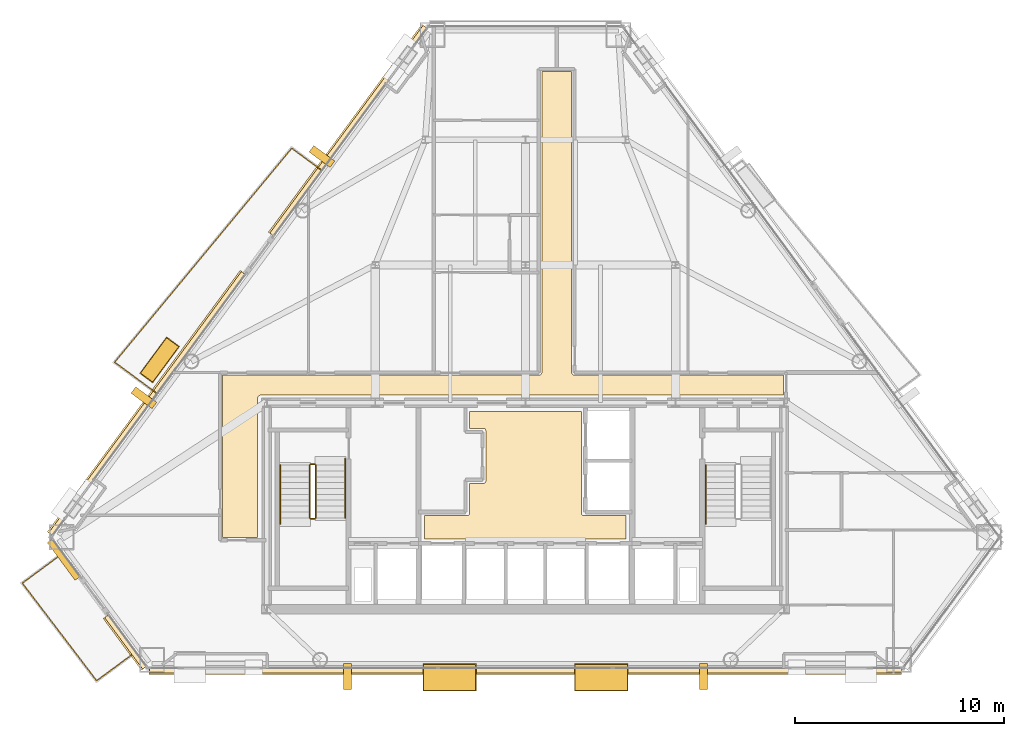
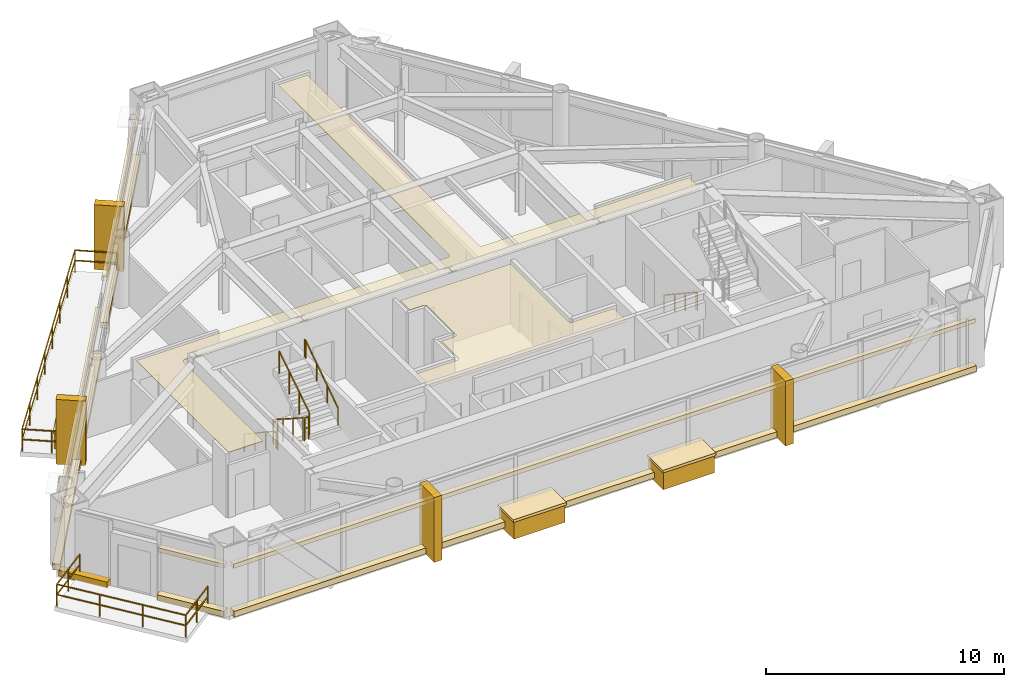
# One storey, part 11 of 12: 21 coverings, 9 railings.
"""IFC4 building model written with IfcOpenShell, lengths in metres."""

from ifc_helpers import new_model, si_unit, direction, frame, origin, origin_2d, place, context, subcontext, project, spatial, polyline, rectangle, outline, extrude, material, layer, layer_set, type_object, element, save


model = new_model("IFC4")

# Units and contexts
model_context = context("Model", 3, precision=1e-05, world=origin(), true_north=direction((0.0, 1.0)))
body_context = subcontext(model_context, "Body", "Model", "MODEL_VIEW")
ifc_project = project(units=[si_unit("LENGTHUNIT", "METRE"), si_unit("AREAUNIT", "SQUARE_METRE"), si_unit("VOLUMEUNIT", "CUBIC_METRE"), si_unit("PLANEANGLEUNIT", "RADIAN"), si_unit("MASSUNIT", "GRAM", prefix="KILO")], contexts=[model_context])

# Site, building, storey
site_placement = place(None, origin())
site = spatial("IfcSite", under=ifc_project, at=site_placement, CompositionType="ELEMENT")
building_placement = place(site_placement, origin())
building = spatial("IfcBuilding", under=site, at=building_placement, Name="Talgorran Terracotta Tower", CompositionType="ELEMENT")
storey_placement = place(building_placement, frame((0.0, 0.0, 165.300048828125)))
storey = spatial("IfcBuildingStorey", under=building, at=storey_placement, Name="L43", CompositionType="ELEMENT", Elevation=165.300048828125)

# Coverings
ifc_material_1 = material(Name="Kiln-Fired Terracotta Ochre Ceramic", Category="masonry")
ifc_layer_1 = layer(ifc_material_1, 0.179931640625, Name="COV_BAGUETTE_TERRACOTTA_SCREEN")
ifc_layer_set_1 = layer_set([ifc_layer_1], Name="Kiln-Fired Terracotta Ochre Ceramic")
covering_type_1 = type_object("IfcCoveringType", Name="COV_BAGUETTE_TERRACOTTA_SCREEN", PredefinedType="CLADDING", material=ifc_layer_set_1)
covering_1_placement = place(storey_placement, frame((-19.156005859375, -15.66796875, 2.41015625), z_axis=(0.0, 0.0, 1.0), x_axis=(0.593770031276, -0.804634792909, 0.0)))
element("IfcCovering", 1, at=covering_1_placement, inside=storey, type_object=covering_type_1, Name="L43 Terracotta Baguette Solar Screen Assembly F11", PredefinedType="CLADDING", context=body_context, shape_type="SweptSolid", body=[
    extrude(rectangle(XDim=3.064697265625, YDim=0.260009765625, at=origin_2d()), origin(), (0.0, 0.0, 1.0), 0.219970703125),
])
covering_2_placement = place(storey_placement, frame((0.0, -17.030029296875, 2.41015625), z_axis=(0.0, 0.0, 1.0), x_axis=(1.0, 0.0, 0.0)))
element("IfcCovering", 2, at=covering_2_placement, inside=storey, type_object=covering_type_1, Name="L43 Terracotta Baguette Solar Screen Assembly F1", PredefinedType="CLADDING", context=body_context, shape_type="SweptSolid", body=[
    extrude(rectangle(XDim=36.060302734375, YDim=0.260009765625, at=origin_2d()), origin(), (0.0, 0.0, 1.0), 0.219970703125),
])
covering_3_placement = place(storey_placement, frame((-8.476318359375, 8.830078125, 2.41015625), z_axis=(0.0, 0.0, 1.0), x_axis=(-0.593784074712, -0.804624429544, 0.0)))
element("IfcCovering", 3, at=covering_3_placement, inside=storey, type_object=covering_type_1, Name="L43 Terracotta Baguette Solar Screen Assembly F60", PredefinedType="CLADDING", context=body_context, shape_type="SweptSolid", body=[
    extrude(rectangle(XDim=12.36669921875, YDim=0.260009765625, at=origin_2d()), origin(), (0.0, 0.0, 1.0), 0.219970703125),
])
covering_4_placement = place(storey_placement, frame((-18.1298828125, -4.251220703125, 2.41015625), z_axis=(0.0, 0.0, 1.0), x_axis=(-0.593784074712, -0.804624429544, 0.0)))
element("IfcCovering", 4, at=covering_4_placement, inside=storey, type_object=covering_type_1, Name="L43 Terracotta Baguette Solar Screen Assembly F61", PredefinedType="CLADDING", context=body_context, shape_type="SweptSolid", body=[
    extrude(rectangle(XDim=15.549072265625, YDim=0.260009765625, at=origin_2d()), origin(), (0.0, 0.0, 1.0), 0.219970703125),
])
ifc_material_2 = material(Name="Mineral Fibre Acoustic Tile")
ifc_layer_2 = layer(ifc_material_2, 0.02490234375, Name="COV_CEIL_ACOUSTIC")
ifc_layer_set_2 = layer_set([ifc_layer_2], Name="Mineral Fibre Acoustic Tile")
covering_type_2 = type_object("IfcCoveringType", Name="COV_CEIL_ACOUSTIC", PredefinedType="CEILING", material=ifc_layer_set_2)
covering_5_placement = place(storey_placement, frame((0.0, 0.0, 3.18994140625)))
element("IfcCovering", 5, at=covering_5_placement, inside=storey, type_object=covering_type_2, Name="CEIL-L43-2", PredefinedType="CEILING", context=body_context, shape_type="SweptSolid", body=[
    extrude(outline(polyline([(-12.6884765625, -3.84521484375), (-12.703369140625, -3.84521484375), (-12.715087890625, -3.845947265625), (-12.7265625, -3.84765625), (-12.73779296875, -3.8505859375), (-12.748779296875, -3.8544921875), (-12.75927734375, -3.859375), (-12.76708984375, -3.863525390625), (-12.777099609375, -3.86962890625), (-12.78662109375, -3.876708984375), (-12.79541015625, -3.884521484375), (-12.803466796875, -3.893310546875), (-12.810302734375, -3.90283203125), (-12.81640625, -3.9130859375), (-12.820556640625, -3.920654296875), (-12.82568359375, -3.931396484375), (-12.82958984375, -3.9423828125), (-12.83251953125, -3.953857421875), (-12.833984375, -3.96533203125), (-12.834716796875, -3.97705078125), (-12.8349609375, -10.6650390625), (-14.514892578125, -10.6650390625), (-14.514892578125, -2.885009765625), (0.64990234375, -2.885009765625), (0.66162109375, -2.884521484375), (0.67333984375, -2.8828125), (0.6845703125, -2.8798828125), (0.69287109375, -2.87744140625), (0.7041015625, -2.87353515625), (0.714599609375, -2.868408203125), (0.724853515625, -2.8623046875), (0.734375, -2.85546875), (0.742919921875, -2.847412109375), (0.7509765625, -2.8388671875), (0.756591796875, -2.83203125), (0.763671875, -2.822509765625), (0.769775390625, -2.8125), (0.774658203125, -2.8017578125), (0.77880859375, -2.79052734375), (0.781494140625, -2.779296875), (0.783203125, -2.767578125), (0.783935546875, -2.755615234375), (0.784912109375, 11.6650390625), (2.215087890625, 11.6650390625), (2.215087890625, -2.75), (2.215576171875, -2.76171875), (2.21728515625, -2.773193359375), (2.22021484375, -2.78466796875), (2.22265625, -2.79296875), (2.2265625, -2.803955078125), (2.231689453125, -2.814697265625), (2.237548828125, -2.82470703125), (2.24462890625, -2.834228515625), (2.25244140625, -2.843017578125), (2.26123046875, -2.850830078125), (2.26806640625, -2.8564453125), (2.277587890625, -2.863525390625), (2.28759765625, -2.86962890625), (2.29833984375, -2.874755859375), (2.309326171875, -2.878662109375), (2.32080078125, -2.881591796875), (2.33251953125, -2.88330078125), (2.34423828125, -2.8837890625), (12.364990234375, -2.885009765625), (12.364990234375, -3.830078125), (12.169921875, -3.830078125), (12.158203125, -3.83056640625), (12.146484375, -3.832275390625), (12.13525390625, -3.835205078125), (12.1240234375, -3.839111328125), (12.11328125, -3.84423828125), (12.112060546875, -3.844970703125), (7.432861328125, -3.844970703125), (6.968017578125, -3.843017578125), (6.967529296875, -3.843017578125), (0.232666015625, -3.844970703125), (-0.23193359375, -3.843017578125), (-0.232421875, -3.843017578125), (-6.96728515625, -3.844970703125), (-7.431884765625, -3.843017578125), (-7.4326171875, -3.843017578125), (-12.112060546875, -3.844970703125), (-12.11328125, -3.84423828125), (-12.1240234375, -3.839111328125), (-12.13525390625, -3.835205078125), (-12.146484375, -3.832275390625), (-12.158203125, -3.83056640625), (-12.169921875, -3.830078125), (-12.6298828125, -3.830078125), (-12.641845703125, -3.83056640625), (-12.6533203125, -3.832275390625), (-12.664794921875, -3.835205078125), (-12.67578125, -3.839111328125), (-12.6865234375, -3.84423828125), (-12.6884765625, -3.84521484375)])), origin(), (0.0, 0.0, 1.0), 0.02001953125),
])
ifc_material_3 = material(Name="Flush Moisture-Resistant Plaster")
ifc_layer_3 = layer(ifc_material_3, 0.01806640625, Name="COV_CEIL_PLASTER")
ifc_layer_set_3 = layer_set([ifc_layer_3], Name="Flush Moisture-Resistant Plaster")
covering_type_3 = type_object("IfcCoveringType", Name="COV_CEIL_PLASTER", PredefinedType="CEILING", material=ifc_layer_set_3)
covering_6_placement = place(storey_placement, frame((0.0, 0.0, 3.18994140625)))
element("IfcCovering", 6, at=covering_6_placement, inside=storey, type_object=covering_type_3, Name="CEIL-L43-1", PredefinedType="CEILING", context=body_context, shape_type="SweptSolid", body=[
    extrude(outline(polyline([(2.679931640625, -4.6201171875), (2.679931640625, -9.5), (2.6806640625, -9.51171875), (2.682373046875, -9.5234375), (2.685302734375, -9.534912109375), (2.689208984375, -9.5458984375), (2.694091796875, -9.556640625), (2.7001953125, -9.566650390625), (2.707275390625, -9.576171875), (2.715087890625, -9.5849609375), (2.723876953125, -9.5927734375), (2.7333984375, -9.599853515625), (2.743408203125, -9.605712890625), (2.754150390625, -9.61083984375), (2.76513671875, -9.61474609375), (2.776611328125, -9.61767578125), (2.7880859375, -9.619384765625), (2.800048828125, -9.6201171875), (4.830078125, -9.6201171875), (4.830078125, -10.72998046875), (-4.830078125, -10.72998046875), (-4.830078125, -9.6201171875), (-2.800048828125, -9.6201171875), (-2.7880859375, -9.619384765625), (-2.776611328125, -9.61767578125), (-2.76513671875, -9.61474609375), (-2.754150390625, -9.61083984375), (-2.743408203125, -9.605712890625), (-2.7333984375, -9.599853515625), (-2.723876953125, -9.5927734375), (-2.715087890625, -9.5849609375), (-2.707275390625, -9.576171875), (-2.7001953125, -9.566650390625), (-2.694091796875, -9.556640625), (-2.689208984375, -9.5458984375), (-2.685302734375, -9.534912109375), (-2.682373046875, -9.5234375), (-2.6806640625, -9.51171875), (-2.679931640625, -9.5), (-2.679931640625, -8.070068359375), (-2.02001953125, -8.070068359375), (-2.00830078125, -8.0693359375), (-1.99658203125, -8.067626953125), (-1.985107421875, -8.064697265625), (-1.97412109375, -8.060791015625), (-1.96337890625, -8.055908203125), (-1.953369140625, -8.0498046875), (-1.94384765625, -8.042724609375), (-1.93505859375, -8.034912109375), (-1.92724609375, -8.026123046875), (-1.920166015625, -8.0166015625), (-1.914306640625, -8.006591796875), (-1.9091796875, -7.995849609375), (-1.9052734375, -7.98486328125), (-1.90234375, -7.973388671875), (-1.900634765625, -7.9619140625), (-1.89990234375, -7.949951171875), (-1.89990234375, -5.550048828125), (-1.900634765625, -5.5380859375), (-1.90234375, -5.526611328125), (-1.9052734375, -5.51513671875), (-1.9091796875, -5.504150390625), (-1.914306640625, -5.493408203125), (-1.920166015625, -5.4833984375), (-1.92724609375, -5.473876953125), (-1.93505859375, -5.465087890625), (-1.94384765625, -5.457275390625), (-1.953369140625, -5.4501953125), (-1.96337890625, -5.444091796875), (-1.97412109375, -5.439208984375), (-1.985107421875, -5.435302734375), (-1.99658203125, -5.432373046875), (-2.00830078125, -5.4306640625), (-2.02001953125, -5.429931640625), (-2.679931640625, -5.429931640625), (-2.679931640625, -4.6201171875), (2.679931640625, -4.6201171875)])), origin(), (0.0, 0.0, 1.0), 0.02001953125),
])
ifc_material_4 = material(Name="Honed Limestone and Terracotta Planter", Category="masonry")
ifc_layer_4 = layer(ifc_material_4, 0.1201171875, Name="COV_PLANTER_BOX")
ifc_layer_set_4 = layer_set([ifc_layer_4], Name="Honed Limestone and Terracotta Planter")
covering_type_4 = type_object("IfcCoveringType", Name="COV_PLANTER_BOX", PredefinedType="CLADDING", material=ifc_layer_set_4)
for number, where, z_axis, x_axis, name in (
    (7, (-3.632080078125, -17.3701171875, -0.179931640625), (0.0, 0.0, 1.0), (1.0, 0.0, 0.0), "L43 Staggered South Facade Planter Box 1"),
    (8, (3.632080078125, -17.3701171875, -0.179931640625), (0.0, 0.0, 1.0), (1.0, 0.0, 0.0), "L43 Staggered South Facade Planter Box 2"),
):
    element("IfcCovering", number, at=place(storey_placement, frame(where, z_axis=z_axis, x_axis=x_axis)), inside=storey, type_object=covering_type_4, Name=name, PredefinedType="CLADDING", context=body_context, shape_type="SweptSolid", body=[
        extrude(rectangle(XDim=2.5, YDim=1.25, at=origin_2d()), origin(), (0.0, 0.0, 1.0), 0.919921875),
    ])
covering_7_placement = place(storey_placement, frame((-17.537841796875, -2.152099609375, -0.02001953125), z_axis=(0.0, 0.0, 1.0), x_axis=(-0.593784074712, -0.804624429544, 0.0)))
element("IfcCovering", 9, at=covering_7_placement, inside=storey, type_object=covering_type_4, Name="L43 Staggered Balcony Planter Box BAL-NW", PredefinedType="CLADDING", context=body_context, shape_type="SweptSolid", body=[
    extrude(rectangle(XDim=2.10009765625, YDim=0.719970703125, at=origin_2d()), origin(), (0.0, 0.0, 1.0), 0.860107421875),
])
ifc_material_5 = material(Name="Kiln-Fired Terracotta Planter Rim", Category="masonry")
ifc_layer_5 = layer(ifc_material_5, 0.10009765625, Name="COV_PLANTER_RIM")
ifc_layer_set_5 = layer_set([ifc_layer_5], Name="Kiln-Fired Terracotta Planter Rim")
covering_type_5 = type_object("IfcCoveringType", Name="COV_PLANTER_RIM", PredefinedType="CLADDING", material=ifc_layer_set_5)
for number, where, z_axis, x_axis, name in (
    (10, (-3.632080078125, -17.3701171875, 0.7099609375), (0.0, 0.0, 1.0), (1.0, 0.0, 0.0), "L43 South Planter Terracotta Rim 1"),
    (11, (3.632080078125, -17.3701171875, 0.7099609375), (0.0, 0.0, 1.0), (1.0, 0.0, 0.0), "L43 South Planter Terracotta Rim 2"),
):
    element("IfcCovering", number, at=place(storey_placement, frame(where, z_axis=z_axis, x_axis=x_axis)), inside=storey, type_object=covering_type_5, Name=name, PredefinedType="CLADDING", context=body_context, shape_type="SweptSolid", body=[
        extrude(rectangle(XDim=2.580078125, YDim=1.320068359375, at=origin_2d()), origin(), (0.0, 0.0, 1.0), 0.139892578125),
    ])
covering_8_placement = place(storey_placement, frame((-17.537841796875, -2.152099609375, 0.7998046875), z_axis=(0.0, 0.0, 1.0), x_axis=(-0.593784074712, -0.804624429544, 0.0)))
element("IfcCovering", 12, at=covering_8_placement, inside=storey, type_object=covering_type_5, Name="L43 Balcony Planter Terracotta Rim BAL-NW", PredefinedType="CLADDING", context=body_context, shape_type="SweptSolid", body=[
    extrude(rectangle(XDim=2.179931640625, YDim=0.780029296875, at=origin_2d()), origin(), (0.0, 0.0, 1.0), 0.1201171875),
])
ifc_material_6 = material(Name="Honed Limestone Cladding", Category="masonry")
ifc_layer_6 = layer(ifc_material_6, 0.094970703125, Name="COV_PORTAL_LIME")
ifc_layer_set_6 = layer_set([ifc_layer_6], Name="Honed Limestone Cladding")
covering_type_6 = type_object("IfcCoveringType", Name="COV_PORTAL_LIME", PredefinedType="CLADDING", material=ifc_layer_set_6)
for number, where, z_axis, x_axis, name in (
    (13, (-8.53564453125, -17.330078125, -0.050048828125), (0.0, 0.0, 1.0), (1.0, 0.0, 0.0), "L43 White Striped Portal Fin F1-1"),
    (14, (-9.757568359375, 7.599365234375, -0.050048828125), (0.0, 0.0, 1.0), (-0.593784074712, -0.804624429544, 0.0), "L43 White Striped Portal Fin F5-1"),
):
    element("IfcCovering", number, at=place(storey_placement, frame(where, z_axis=z_axis, x_axis=x_axis)), inside=storey, type_object=covering_type_6, Name=name, PredefinedType="CLADDING", context=body_context, shape_type="SweptSolid", body=[
        extrude(rectangle(XDim=0.3798828125, YDim=1.25, at=origin_2d()), origin(), (0.0, 0.0, 1.0), 3.330078125),
    ])
ifc_material_7 = material(Name="Kiln-Fired Terracotta Cladding", Category="masonry")
ifc_layer_7 = layer(ifc_material_7, 0.090087890625, Name="COV_PORTAL_TERRA")
ifc_layer_set_7 = layer_set([ifc_layer_7], Name="Kiln-Fired Terracotta Cladding")
covering_type_7 = type_object("IfcCoveringType", Name="COV_PORTAL_TERRA", PredefinedType="CLADDING", material=ifc_layer_set_7)
covering_9_placement = place(storey_placement, frame((-22.12109375, -11.71728515625, -0.0400390625), z_axis=(0.0, 0.0, 1.0), x_axis=(0.593798117967, -0.804614065934, 0.0)))
element("IfcCovering", 15, at=covering_9_placement, inside=storey, type_object=covering_type_7, Name="L43 Striped Postmodern Portal Cladding Band F10", PredefinedType="CLADDING", context=body_context, shape_type="SweptSolid", body=[
    extrude(rectangle(XDim=2.234619140625, YDim=0.340087890625, at=origin_2d()), origin(), (0.0, 0.0, 1.0), 0.300048828125),
])
covering_10_placement = place(storey_placement, frame((-19.18798828125, -15.691650390625, -0.0400390625), z_axis=(0.0, 0.0, 1.0), x_axis=(0.593770031276, -0.804634792909, 0.0)))
element("IfcCovering", 16, at=covering_10_placement, inside=storey, type_object=covering_type_7, Name="L43 Striped Postmodern Portal Cladding Band F11", PredefinedType="CLADDING", context=body_context, shape_type="SweptSolid", body=[
    extrude(rectangle(XDim=3.084716796875, YDim=0.340087890625, at=origin_2d()), origin(), (0.0, 0.0, 1.0), 0.300048828125),
])
covering_11_placement = place(storey_placement, frame((0.0, -17.070068359375, -0.0400390625), z_axis=(0.0, 0.0, 1.0), x_axis=(1.0, 0.0, 0.0)))
element("IfcCovering", 17, at=covering_11_placement, inside=storey, type_object=covering_type_7, Name="L43 Striped Postmodern Portal Cladding Band F1", PredefinedType="CLADDING", context=body_context, shape_type="SweptSolid", body=[
    extrude(rectangle(XDim=36.080322265625, YDim=0.340087890625, at=origin_2d()), origin(), (0.0, 0.0, 1.0), 0.300048828125),
])
covering_12_placement = place(storey_placement, frame((-8.508544921875, 8.85400390625, -0.0400390625), z_axis=(0.0, 0.0, 1.0), x_axis=(-0.593784074712, -0.804624429544, 0.0)))
element("IfcCovering", 18, at=covering_12_placement, inside=storey, type_object=covering_type_7, Name="L43 Striped Postmodern Portal Cladding Band F60", PredefinedType="CLADDING", context=body_context, shape_type="SweptSolid", body=[
    extrude(rectangle(XDim=12.38671875, YDim=0.340087890625, at=origin_2d()), origin(), (0.0, 0.0, 1.0), 0.300048828125),
])
covering_13_placement = place(storey_placement, frame((-18.162109375, -4.227294921875, -0.0400390625), z_axis=(0.0, 0.0, 1.0), x_axis=(-0.593784074712, -0.804624429544, 0.0)))
element("IfcCovering", 19, at=covering_13_placement, inside=storey, type_object=covering_type_7, Name="L43 Striped Postmodern Portal Cladding Band F61", PredefinedType="CLADDING", context=body_context, shape_type="SweptSolid", body=[
    extrude(rectangle(XDim=15.569091796875, YDim=0.340087890625, at=origin_2d()), origin(), (0.0, 0.0, 1.0), 0.300048828125),
])
for number, where, z_axis, x_axis, name in (
    (20, (8.53564453125, -17.330078125, -0.050048828125), (0.0, 0.0, 1.0), (1.0, 0.0, 0.0), "L43 Terracotta Striped Portal Fin F1-2"),
    (21, (-18.293212890625, -3.966796875, -0.050048828125), (0.0, 0.0, 1.0), (-0.593784074712, -0.804624429544, 0.0), "L43 Terracotta Striped Portal Fin F5-2"),
):
    element("IfcCovering", number, at=place(storey_placement, frame(where, z_axis=z_axis, x_axis=x_axis)), inside=storey, type_object=covering_type_7, Name=name, PredefinedType="CLADDING", context=body_context, shape_type="SweptSolid", body=[
        extrude(rectangle(XDim=0.3798828125, YDim=1.25, at=origin_2d()), origin(), (0.0, 0.0, 1.0), 3.330078125),
    ])

# Railings
ifc_material_8 = material(Name="Laminated Glass and Stainless Steel 316", Category="steel")
railing_type_1 = type_object("IfcRailingType", Name="RL_BALCONY_1150", PredefinedType="BALUSTRADE", material=ifc_material_8)
railing_1_placement = place(storey_placement, frame((-9.771728515625, 6.940185546875, 0.0)))
element("IfcRailing", 22, at=railing_1_placement, inside=storey, type_object=railing_type_1, Name="RL-L43-BAL-BAL-NW", PredefinedType="BALUSTRADE", context=body_context, shape_type="SweptSolid", body=[
    extrude(rectangle(XDim=0.048095703125, YDim=0.048095703125, at=origin_2d()), frame((0.0, 0.0, 1.1259765625), z_axis=(-0.804631782985, 0.593774110088, 0.0), x_axis=(-0.593774110088, -0.804631782985, 0.0)), (0.0, 0.0, 1.0), 1.78076171875),
    extrude(rectangle(XDim=0.048095703125, YDim=0.048095703125, at=origin_2d()), frame((0.0, 0.0, 0.597900390625), z_axis=(-0.804631782985, 0.593774110088, 0.0), x_axis=(-0.593774110088, -0.804631782985, 0.0)), (0.0, 0.0, 1.0), 1.78076171875),
    extrude(rectangle(XDim=0.048095703125, YDim=0.048095703125, at=origin_2d()), frame((-1.432861328125, 1.057373046875, 1.1259765625), z_axis=(-0.637604105574, -0.77036420254, 0.0), x_axis=(0.77036420254, -0.637604105574, 0.0)), (0.0, 0.0, 1.0), 13.31787109375),
    extrude(rectangle(XDim=0.048095703125, YDim=0.048095703125, at=origin_2d()), frame((-1.432861328125, 1.057373046875, 0.597900390625), z_axis=(-0.637604105574, -0.77036420254, 0.0), x_axis=(0.77036420254, -0.637604105574, 0.0)), (0.0, 0.0, 1.0), 13.31787109375),
    extrude(rectangle(XDim=0.048095703125, YDim=0.048095703125, at=origin_2d()), frame((-9.92431640625, -9.2021484375, 1.1259765625), z_axis=(0.80461263472, -0.5938000573, 0.0), x_axis=(0.5938000573, 0.80461263472, 0.0)), (0.0, 0.0, 1.0), 2.521240234375),
    extrude(rectangle(XDim=0.048095703125, YDim=0.048095703125, at=origin_2d()), frame((-9.92431640625, -9.2021484375, 0.597900390625), z_axis=(0.80461263472, -0.5938000573, 0.0), x_axis=(0.5938000573, 0.80461263472, 0.0)), (0.0, 0.0, 1.0), 2.521240234375),
    extrude(rectangle(XDim=0.0419921875, YDim=0.0419921875, at=origin_2d()), origin(), (0.0, 0.0, 1.0), 1.101806640625),
    extrude(rectangle(XDim=0.0419921875, YDim=0.0419921875, at=origin_2d()), frame((-1.432861328125, 1.057373046875, 0.0)), (0.0, 0.0, 1.0), 1.101806640625),
    extrude(rectangle(XDim=0.0419921875, YDim=0.0419921875, at=origin_2d()), frame((-2.64599609375, -0.408203125, 0.0)), (0.0, 0.0, 1.0), 1.101806640625),
    extrude(rectangle(XDim=0.0419921875, YDim=0.0419921875, at=origin_2d()), frame((-3.85888671875, -1.8740234375, 0.0)), (0.0, 0.0, 1.0), 1.101806640625),
    extrude(rectangle(XDim=0.0419921875, YDim=0.0419921875, at=origin_2d()), frame((-5.072021484375, -3.339599609375, 0.0)), (0.0, 0.0, 1.0), 1.101806640625),
    extrude(rectangle(XDim=0.0419921875, YDim=0.0419921875, at=origin_2d()), frame((-6.28515625, -4.80517578125, 0.0)), (0.0, 0.0, 1.0), 1.101806640625),
    extrude(rectangle(XDim=0.0419921875, YDim=0.0419921875, at=origin_2d()), frame((-7.498291015625, -6.270751953125, 0.0)), (0.0, 0.0, 1.0), 1.101806640625),
    extrude(rectangle(XDim=0.0419921875, YDim=0.0419921875, at=origin_2d()), frame((-8.711181640625, -7.736572265625, 0.0)), (0.0, 0.0, 1.0), 1.101806640625),
    extrude(rectangle(XDim=0.0419921875, YDim=0.0419921875, at=origin_2d()), frame((-9.92431640625, -9.2021484375, 0.0)), (0.0, 0.0, 1.0), 1.101806640625),
    extrude(rectangle(XDim=0.0419921875, YDim=0.0419921875, at=origin_2d()), frame((-8.91015625, -9.95068359375, 0.0)), (0.0, 0.0, 1.0), 1.101806640625),
    extrude(rectangle(XDim=0.0419921875, YDim=0.0419921875, at=origin_2d()), frame((-7.895751953125, -10.69921875, 0.0)), (0.0, 0.0, 1.0), 1.101806640625),
])
railing_2_placement = place(storey_placement, frame((-22.18603515625, -11.427001953125, 0.0)))
element("IfcRailing", 23, at=railing_2_placement, inside=storey, type_object=railing_type_1, Name="RL-L43-BAL-BAL-SW", PredefinedType="BALUSTRADE", context=body_context, shape_type="SweptSolid", body=[
    extrude(rectangle(XDim=0.048095703125, YDim=0.048095703125, at=origin_2d()), frame((0.0, 0.0, 1.1259765625), z_axis=(-0.804642221916, -0.593759963882, 0.0), x_axis=(0.593759963882, -0.804642221916, 0.0)), (0.0, 0.0, 1.0), 2.404541015625),
    extrude(rectangle(XDim=0.048095703125, YDim=0.048095703125, at=origin_2d()), frame((0.0, 0.0, 0.597900390625), z_axis=(-0.804642221916, -0.593759963882, 0.0), x_axis=(0.593759963882, -0.804642221916, 0.0)), (0.0, 0.0, 1.0), 2.404541015625),
    extrude(rectangle(XDim=0.048095703125, YDim=0.048095703125, at=origin_2d()), frame((-1.934814453125, -1.427734375, 1.1259765625), z_axis=(0.605795555786, -0.795620352046, 0.0), x_axis=(0.795620352046, 0.605795555786, 0.0)), (0.0, 0.0, 1.0), 5.881591796875),
    extrude(rectangle(XDim=0.048095703125, YDim=0.048095703125, at=origin_2d()), frame((-1.934814453125, -1.427734375, 0.597900390625), z_axis=(0.605795555786, -0.795620352046, 0.0), x_axis=(0.795620352046, 0.605795555786, 0.0)), (0.0, 0.0, 1.0), 5.881591796875),
    extrude(rectangle(XDim=0.048095703125, YDim=0.048095703125, at=origin_2d()), frame((1.628173828125, -6.107177734375, 1.1259765625), z_axis=(0.804605252959, 0.593810059624, 0.0), x_axis=(-0.593810059624, 0.804605252959, 0.0)), (0.0, 0.0, 1.0), 2.31640625),
    extrude(rectangle(XDim=0.048095703125, YDim=0.048095703125, at=origin_2d()), frame((1.628173828125, -6.107177734375, 0.597900390625), z_axis=(0.804605252959, 0.593810059624, 0.0), x_axis=(-0.593810059624, 0.804605252959, 0.0)), (0.0, 0.0, 1.0), 2.31640625),
    extrude(rectangle(XDim=0.0419921875, YDim=0.0419921875, at=origin_2d()), origin(), (0.0, 0.0, 1.0), 1.101806640625),
    extrude(rectangle(XDim=0.0419921875, YDim=0.0419921875, at=origin_2d()), frame((-0.96728515625, -0.7138671875, 0.0)), (0.0, 0.0, 1.0), 1.101806640625),
    extrude(rectangle(XDim=0.0419921875, YDim=0.0419921875, at=origin_2d()), frame((-1.934814453125, -1.427734375, 0.0)), (0.0, 0.0, 1.0), 1.101806640625),
    extrude(rectangle(XDim=0.0419921875, YDim=0.0419921875, at=origin_2d()), frame((-0.7470703125, -2.987548828125, 0.0)), (0.0, 0.0, 1.0), 1.101806640625),
    extrude(rectangle(XDim=0.0419921875, YDim=0.0419921875, at=origin_2d()), frame((0.4404296875, -4.54736328125, 0.0)), (0.0, 0.0, 1.0), 1.101806640625),
    extrude(rectangle(XDim=0.0419921875, YDim=0.0419921875, at=origin_2d()), frame((1.628173828125, -6.107177734375, 0.0)), (0.0, 0.0, 1.0), 1.101806640625),
    extrude(rectangle(XDim=0.0419921875, YDim=0.0419921875, at=origin_2d()), frame((2.56005859375, -5.41943359375, 0.0)), (0.0, 0.0, 1.0), 1.101806640625),
    extrude(rectangle(XDim=0.0419921875, YDim=0.0419921875, at=origin_2d()), frame((3.491943359375, -4.731689453125, 0.0)), (0.0, 0.0, 1.0), 1.101806640625),
])
ifc_material_9 = material(Name="Steel S355 (300PLUS)", Category="steel")
railing_type_2 = type_object("IfcRailingType", Name="RL_HANDRAIL_920", PredefinedType="HANDRAIL", material=ifc_material_9)
railing_3_placement = place(storey_placement, frame((-11.75, -7.199951171875, 0.179931640625)))
element("IfcRailing", 24, at=railing_3_placement, inside=storey, type_object=railing_type_2, Name="L43 ST-01 stair handrail 1", PredefinedType="HANDRAIL", context=body_context, shape_type="SweptSolid", body=[
    extrude(rectangle(XDim=0.048095703125, YDim=0.048095703125, at=origin_2d()), frame((0.0, 0.0, 0.89599609375), z_axis=(0.0, -0.832038719335, 0.554717558338), x_axis=(1.0, 0.0, 0.0)), (0.0, 0.0, 1.0), 3.244873046875),
    extrude(rectangle(XDim=0.048095703125, YDim=0.048095703125, at=origin_2d()), frame((0.0, -2.699951171875, 2.69580078125), z_axis=(0.0, -1.0, 0.0), x_axis=(1.0, 0.0, 0.0)), (0.0, 0.0, 1.0), 0.1201171875),
    extrude(rectangle(XDim=0.0419921875, YDim=0.0419921875, at=origin_2d()), origin(), (0.0, 0.0, 1.0), 0.871826171875),
    extrude(rectangle(XDim=0.0419921875, YDim=0.0419921875, at=origin_2d()), frame((0.0, -0.89990234375, 0.60009765625)), (0.0, 0.0, 1.0), 0.871826171875),
    extrude(rectangle(XDim=0.0419921875, YDim=0.0419921875, at=origin_2d()), frame((0.0, -1.800048828125, 1.199951171875)), (0.0, 0.0, 1.0), 0.871826171875),
    extrude(rectangle(XDim=0.0419921875, YDim=0.0419921875, at=origin_2d()), frame((0.0, -2.699951171875, 1.800048828125)), (0.0, 0.0, 1.0), 0.871826171875),
    extrude(rectangle(XDim=0.0419921875, YDim=0.0419921875, at=origin_2d()), frame((0.0, -2.820068359375, 1.800048828125)), (0.0, 0.0, 1.0), 0.871826171875),
])
railing_4_placement = place(storey_placement, frame((-8.64990234375, -9.719970703125, 1.97998046875)))
element("IfcRailing", 25, at=railing_4_placement, inside=storey, type_object=railing_type_2, Name="L43 ST-01 stair handrail 2", PredefinedType="HANDRAIL", context=body_context, shape_type="SweptSolid", body=[
    extrude(rectangle(XDim=0.048095703125, YDim=0.048095703125, at=origin_2d()), frame((0.0, 0.0, 0.89599609375), z_axis=(0.0, 0.832038719335, 0.554717558338), x_axis=(-1.0, 0.0, 0.0)), (0.0, 0.0, 1.0), 3.244873046875),
    extrude(rectangle(XDim=0.048095703125, YDim=0.048095703125, at=origin_2d()), frame((0.0, 2.699951171875, 2.69580078125), z_axis=(0.0, 1.0, 0.0), x_axis=(-1.0, 0.0, 0.0)), (0.0, 0.0, 1.0), 0.1201171875),
    extrude(rectangle(XDim=0.0419921875, YDim=0.0419921875, at=origin_2d()), origin(), (0.0, 0.0, 1.0), 0.871826171875),
    extrude(rectangle(XDim=0.0419921875, YDim=0.0419921875, at=origin_2d()), frame((0.0, 0.89990234375, 0.60009765625)), (0.0, 0.0, 1.0), 0.871826171875),
    extrude(rectangle(XDim=0.0419921875, YDim=0.0419921875, at=origin_2d()), frame((0.0, 1.800048828125, 1.199951171875)), (0.0, 0.0, 1.0), 0.871826171875),
    extrude(rectangle(XDim=0.0419921875, YDim=0.0419921875, at=origin_2d()), frame((0.0, 2.699951171875, 1.800048828125)), (0.0, 0.0, 1.0), 0.871826171875),
    extrude(rectangle(XDim=0.0419921875, YDim=0.0419921875, at=origin_2d()), frame((0.0, 2.820068359375, 1.800048828125)), (0.0, 0.0, 1.0), 0.871826171875),
])
railing_5_placement = place(storey_placement, frame((8.64990234375, -7.199951171875, 0.179931640625)))
element("IfcRailing", 26, at=railing_5_placement, inside=storey, type_object=railing_type_2, Name="L43 ST-02 stair handrail 1", PredefinedType="HANDRAIL", context=body_context, shape_type="SweptSolid", body=[
    extrude(rectangle(XDim=0.048095703125, YDim=0.048095703125, at=origin_2d()), frame((0.0, 0.0, 0.89599609375), z_axis=(0.0, -0.832038719335, 0.554717558338), x_axis=(1.0, 0.0, 0.0)), (0.0, 0.0, 1.0), 3.244873046875),
    extrude(rectangle(XDim=0.048095703125, YDim=0.048095703125, at=origin_2d()), frame((0.0, -2.699951171875, 2.69580078125), z_axis=(0.0, -1.0, 0.0), x_axis=(1.0, 0.0, 0.0)), (0.0, 0.0, 1.0), 0.1201171875),
    extrude(rectangle(XDim=0.0419921875, YDim=0.0419921875, at=origin_2d()), origin(), (0.0, 0.0, 1.0), 0.871826171875),
    extrude(rectangle(XDim=0.0419921875, YDim=0.0419921875, at=origin_2d()), frame((0.0, -0.89990234375, 0.60009765625)), (0.0, 0.0, 1.0), 0.871826171875),
    extrude(rectangle(XDim=0.0419921875, YDim=0.0419921875, at=origin_2d()), frame((0.0, -1.800048828125, 1.199951171875)), (0.0, 0.0, 1.0), 0.871826171875),
    extrude(rectangle(XDim=0.0419921875, YDim=0.0419921875, at=origin_2d()), frame((0.0, -2.699951171875, 1.800048828125)), (0.0, 0.0, 1.0), 0.871826171875),
    extrude(rectangle(XDim=0.0419921875, YDim=0.0419921875, at=origin_2d()), frame((0.0, -2.820068359375, 1.800048828125)), (0.0, 0.0, 1.0), 0.871826171875),
])
railing_type_3 = type_object("IfcRailingType", Name="RL_STAIR_GUARD", PredefinedType="GUARDRAIL", material=ifc_material_9)
railing_6_placement = place(storey_placement, frame((-10.35009765625, -7.199951171875, 0.179931640625)))
element("IfcRailing", 27, at=railing_6_placement, inside=storey, type_object=railing_type_3, Name="L43 ST-01 stair guard 1", PredefinedType="GUARDRAIL", context=body_context, shape_type="SweptSolid", body=[
    extrude(rectangle(XDim=0.048095703125, YDim=0.048095703125, at=origin_2d()), frame((0.0, 0.0, 1.15576171875), z_axis=(0.0, -0.841162588446, 0.540782303519), x_axis=(1.0, 0.0, 0.0)), (0.0, 0.0, 1.0), 2.995849609375),
    extrude(rectangle(XDim=0.0419921875, YDim=0.0419921875, at=origin_2d()), origin(), (0.0, 0.0, 1.0), 1.1318359375),
    extrude(rectangle(XDim=0.0419921875, YDim=0.0419921875, at=origin_2d()), frame((0.0, -0.840087890625, 0.5400390625)), (0.0, 0.0, 1.0), 1.1318359375),
    extrude(rectangle(XDim=0.0419921875, YDim=0.0419921875, at=origin_2d()), frame((0.0, -1.679931640625, 1.080078125)), (0.0, 0.0, 1.0), 1.1318359375),
    extrude(rectangle(XDim=0.0419921875, YDim=0.0419921875, at=origin_2d()), frame((0.0, -2.52001953125, 1.6201171875)), (0.0, 0.0, 1.0), 1.1318359375),
])
railing_7_placement = place(storey_placement, frame((-10.300048828125, -9.77001953125, 1.800048828125)))
element("IfcRailing", 28, at=railing_7_placement, inside=storey, type_object=railing_type_3, Name="L43 ST-01 stair guard 2", PredefinedType="GUARDRAIL", context=body_context, shape_type="SweptSolid", body=[
    extrude(rectangle(XDim=0.048095703125, YDim=0.048095703125, at=origin_2d()), frame((0.0, 0.0, 1.15576171875), z_axis=(1.0, 0.0, 0.0), x_axis=(0.0, 1.0, 0.0)), (0.0, 0.0, 1.0), 0.199951171875),
    extrude(rectangle(XDim=0.048095703125, YDim=0.048095703125, at=origin_2d()), frame((0.0, 0.0, 0.613525390625), z_axis=(1.0, 0.0, 0.0), x_axis=(0.0, 1.0, 0.0)), (0.0, 0.0, 1.0), 0.199951171875),
    extrude(rectangle(XDim=0.0419921875, YDim=0.0419921875, at=origin_2d()), origin(), (0.0, 0.0, 1.0), 1.1318359375),
    extrude(rectangle(XDim=0.0419921875, YDim=0.0419921875, at=origin_2d()), frame((0.199951171875, 0.0, 0.0)), (0.0, 0.0, 1.0), 1.1318359375),
])
railing_8_placement = place(storey_placement, frame((-10.050048828125, -9.719970703125, 1.97998046875)))
element("IfcRailing", 29, at=railing_8_placement, inside=storey, type_object=railing_type_3, Name="L43 ST-01 stair guard 3", PredefinedType="GUARDRAIL", context=body_context, shape_type="SweptSolid", body=[
    extrude(rectangle(XDim=0.048095703125, YDim=0.048095703125, at=origin_2d()), frame((0.0, 0.0, 1.15576171875), z_axis=(0.0, 0.841199657755, 0.540724639528), x_axis=(-1.0, 0.0, 0.0)), (0.0, 0.0, 1.0), 2.995849609375),
    extrude(rectangle(XDim=0.0419921875, YDim=0.0419921875, at=origin_2d()), origin(), (0.0, 0.0, 1.0), 1.1318359375),
    extrude(rectangle(XDim=0.0419921875, YDim=0.0419921875, at=origin_2d()), frame((0.0, 0.840087890625, 0.5400390625)), (0.0, 0.0, 1.0), 1.1318359375),
    extrude(rectangle(XDim=0.0419921875, YDim=0.0419921875, at=origin_2d()), frame((0.0, 1.679931640625, 1.079833984375)), (0.0, 0.0, 1.0), 1.1318359375),
    extrude(rectangle(XDim=0.0419921875, YDim=0.0419921875, at=origin_2d()), frame((0.0, 2.52001953125, 1.619873046875)), (0.0, 0.0, 1.0), 1.1318359375),
])
railing_9_placement = place(storey_placement, frame((-10.300048828125, -7.14990234375, 0.0)))
element("IfcRailing", 30, at=railing_9_placement, inside=storey, type_object=railing_type_3, Name="L43 ST-01 stair guard 4", PredefinedType="GUARDRAIL", context=body_context, shape_type="SweptSolid", body=[
    extrude(rectangle(XDim=0.048095703125, YDim=0.048095703125, at=origin_2d()), frame((0.0, 0.0, 1.15576171875), z_axis=(1.0, 0.0, 0.0), x_axis=(0.0, 1.0, 0.0)), (0.0, 0.0, 1.0), 0.199951171875),
    extrude(rectangle(XDim=0.048095703125, YDim=0.048095703125, at=origin_2d()), frame((0.0, 0.0, 0.613525390625), z_axis=(1.0, 0.0, 0.0), x_axis=(0.0, 1.0, 0.0)), (0.0, 0.0, 1.0), 0.199951171875),
    extrude(rectangle(XDim=0.0419921875, YDim=0.0419921875, at=origin_2d()), origin(), (0.0, 0.0, 1.0), 1.1318359375),
    extrude(rectangle(XDim=0.0419921875, YDim=0.0419921875, at=origin_2d()), frame((0.199951171875, 0.0, 0.0)), (0.0, 0.0, 1.0), 1.1318359375),
])

save(model, "model.ifc")
